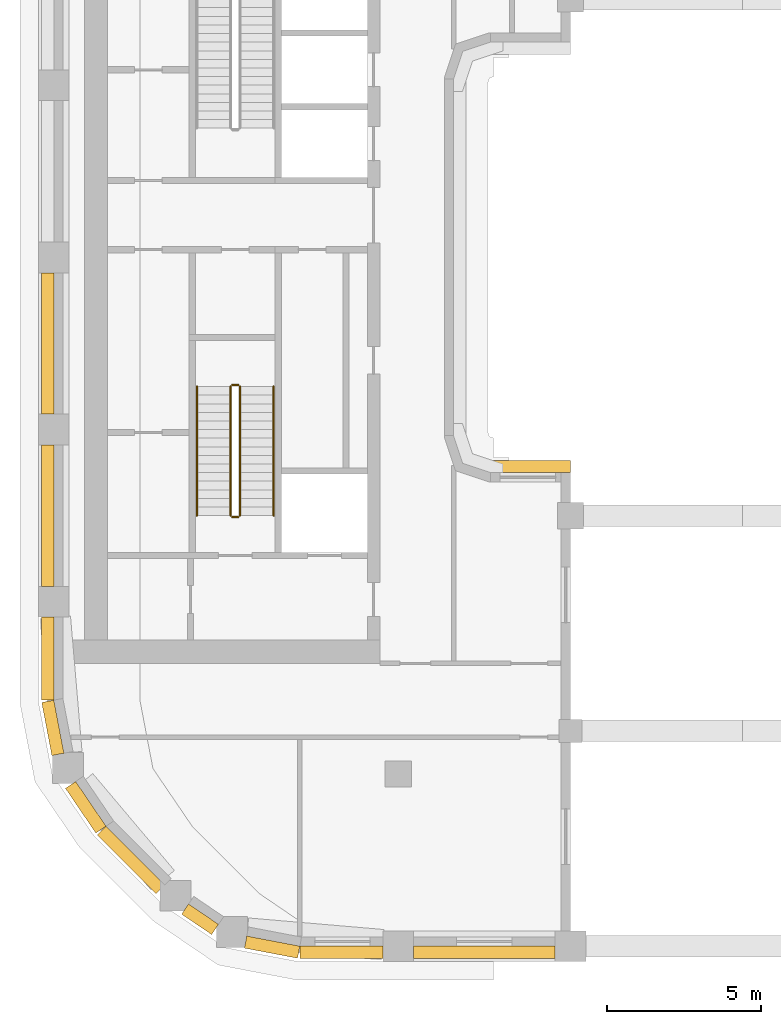
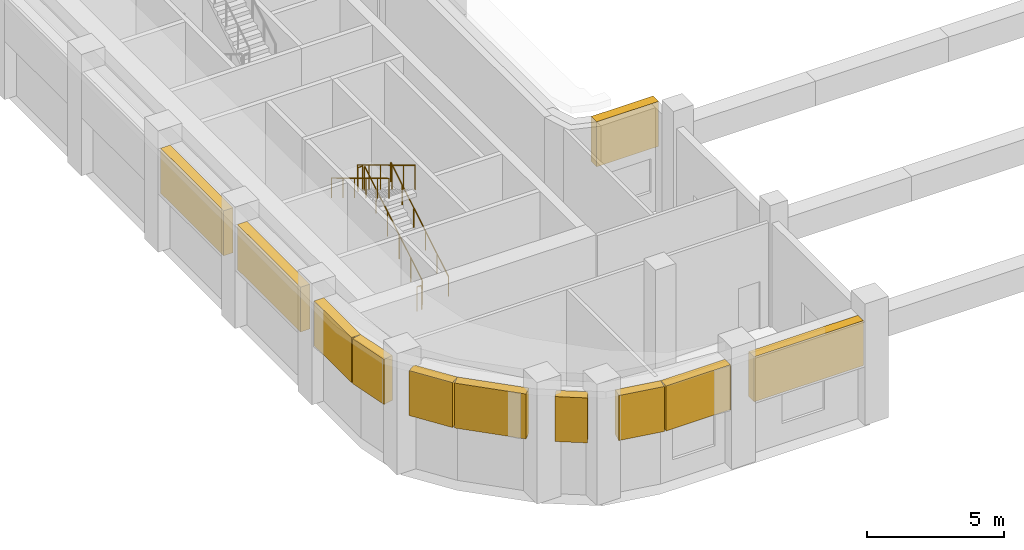
# One storey, part 8 of 14: 11 coverings, 6 railings.
"""IFC4 building model written with IfcOpenShell, lengths in metres."""

from ifc_helpers import new_model, si_unit, direction, frame, origin, origin_2d, place, context, subcontext, project, spatial, rectangle, circle, extrude, material, type_object, element, save


model = new_model("IFC4")

# Units and contexts
model_context = context("Model", 3, precision=1e-05, world=origin(), true_north=direction((0.0, 1.0)))
body_context = subcontext(model_context, "Body", "Model", "MODEL_VIEW")
ifc_project = project(units=[si_unit("LENGTHUNIT", "METRE"), si_unit("AREAUNIT", "SQUARE_METRE"), si_unit("VOLUMEUNIT", "CUBIC_METRE"), si_unit("PLANEANGLEUNIT", "RADIAN"), si_unit("MASSUNIT", "GRAM", prefix="KILO")], contexts=[model_context])

# Site, building, storey
site_placement = place(None, origin())
site = spatial("IfcSite", under=ifc_project, at=site_placement, CompositionType="ELEMENT")
building_placement = place(site_placement, origin())
building = spatial("IfcBuilding", under=site, at=building_placement, Name="Kiln Ring Residences", CompositionType="ELEMENT")
storey_placement = place(building_placement, frame((0.0, 0.0, 183.5)))
storey = spatial("IfcBuildingStorey", under=building, at=storey_placement, Name="L47", CompositionType="ELEMENT", Elevation=183.5)

# Railings
ifc_material_1 = material(Name="Stainless steel", Category="steel")
railing_type_1 = type_object("IfcRailingType", Name="CORE-STAIR-GUARD", PredefinedType="GUARDRAIL", material=ifc_material_1)
railing_1_placement = place(storey_placement, frame((-21.949951171875, -8.39990234375, 0.168701171875)))
element("IfcRailing", 1, at=railing_1_placement, inside=storey, type_object=railing_type_1, Name="L47 W-STS stair guard 1", PredefinedType="GUARDRAIL", context=body_context, shape_type="SweptSolid", body=[
    extrude(circle(Radius=0.02392578125, at=origin_2d()), frame((0.0, 0.0, 1.076171875), z_axis=(0.0, 0.856476492594, 0.516186030065), x_axis=(-1.0, 0.0, 0.0)), (0.0, 0.0, 1.0), 4.90380859375),
    extrude(circle(Radius=0.02099609375, at=origin_2d()), origin(), (0.0, 0.0, 1.0), 1.052001953125),
    extrude(circle(Radius=0.02099609375, at=origin_2d()), frame((0.0, 0.840087890625, 0.50634765625)), (0.0, 0.0, 1.0), 1.052001953125),
    extrude(circle(Radius=0.02099609375, at=origin_2d()), frame((0.0, 1.679931640625, 1.012451171875)), (0.0, 0.0, 1.0), 1.052001953125),
    extrude(circle(Radius=0.02099609375, at=origin_2d()), frame((0.0, 2.52001953125, 1.518798828125)), (0.0, 0.0, 1.0), 1.052001953125),
    extrude(circle(Radius=0.02099609375, at=origin_2d()), frame((0.0, 3.35986328125, 2.02490234375)), (0.0, 0.0, 1.0), 1.052001953125),
    extrude(circle(Radius=0.02099609375, at=origin_2d()), frame((0.0, 4.199951171875, 2.53125)), (0.0, 0.0, 1.0), 1.052001953125),
])
railing_2_placement = place(storey_placement, frame((-22.0, -4.14990234375, 2.699951171875)))
element("IfcRailing", 2, at=railing_2_placement, inside=storey, type_object=railing_type_1, Name="L47 W-STS stair guard 2", PredefinedType="GUARDRAIL", context=body_context, shape_type="SweptSolid", body=[
    extrude(circle(Radius=0.02392578125, at=origin_2d()), frame((0.0, 0.0, 1.076171875), z_axis=(-1.0, 0.0, 0.0), x_axis=(0.0, -1.0, 0.0)), (0.0, 0.0, 1.0), 0.199951171875),
    extrude(circle(Radius=0.02099609375, at=origin_2d()), origin(), (0.0, 0.0, 1.0), 1.052001953125),
    extrude(circle(Radius=0.02099609375, at=origin_2d()), frame((-0.199951171875, 0.0, 0.0)), (0.0, 0.0, 1.0), 1.052001953125),
])
railing_3_placement = place(storey_placement, frame((-22.25, -4.199951171875, 2.86865234375)))
element("IfcRailing", 3, at=railing_3_placement, inside=storey, type_object=railing_type_1, Name="L47 W-STS stair guard 3", PredefinedType="GUARDRAIL", context=body_context, shape_type="SweptSolid", body=[
    extrude(circle(Radius=0.02392578125, at=origin_2d()), frame((0.0, 0.0, 1.076171875), z_axis=(0.0, -0.856476492594, 0.516186030065), x_axis=(1.0, 0.0, 0.0)), (0.0, 0.0, 1.0), 4.90380859375),
    extrude(circle(Radius=0.02099609375, at=origin_2d()), origin(), (0.0, 0.0, 1.0), 1.052001953125),
    extrude(circle(Radius=0.02099609375, at=origin_2d()), frame((0.0, -0.840087890625, 0.50634765625)), (0.0, 0.0, 1.0), 1.052001953125),
    extrude(circle(Radius=0.02099609375, at=origin_2d()), frame((0.0, -1.679931640625, 1.012451171875)), (0.0, 0.0, 1.0), 1.052001953125),
    extrude(circle(Radius=0.02099609375, at=origin_2d()), frame((0.0, -2.52001953125, 1.518798828125)), (0.0, 0.0, 1.0), 1.052001953125),
    extrude(circle(Radius=0.02099609375, at=origin_2d()), frame((0.0, -3.35986328125, 2.02490234375)), (0.0, 0.0, 1.0), 1.052001953125),
    extrude(circle(Radius=0.02099609375, at=origin_2d()), frame((0.0, -4.199951171875, 2.53125)), (0.0, 0.0, 1.0), 1.052001953125),
])
railing_4_placement = place(storey_placement, frame((-22.0, -8.449951171875, 0.0)))
element("IfcRailing", 4, at=railing_4_placement, inside=storey, type_object=railing_type_1, Name="L47 W-STS stair guard 4", PredefinedType="GUARDRAIL", context=body_context, shape_type="SweptSolid", body=[
    extrude(circle(Radius=0.02392578125, at=origin_2d()), frame((0.0, 0.0, 1.076171875), z_axis=(-1.0, 0.0, 0.0), x_axis=(0.0, -1.0, 0.0)), (0.0, 0.0, 1.0), 0.199951171875),
    extrude(circle(Radius=0.02099609375, at=origin_2d()), origin(), (0.0, 0.0, 1.0), 1.052001953125),
    extrude(circle(Radius=0.02099609375, at=origin_2d()), frame((-0.199951171875, 0.0, 0.0)), (0.0, 0.0, 1.0), 1.052001953125),
])
ifc_material_2 = material(Name="Stainless steel", Category="steel")
railing_type_2 = type_object("IfcRailingType", Name="CORE-STAIR-HANDRAIL", PredefinedType="HANDRAIL", material=ifc_material_2)
railing_5_placement = place(storey_placement, frame((-20.85009765625, -8.39990234375, 0.168701171875)))
element("IfcRailing", 5, at=railing_5_placement, inside=storey, type_object=railing_type_2, Name="L47 W-STS stair handrail 1", PredefinedType="HANDRAIL", context=body_context, shape_type="SweptSolid", body=[
    extrude(circle(Radius=0.02392578125, at=origin_2d()), frame((0.0, 0.0, 0.8759765625), z_axis=(0.0, 0.856476492594, 0.516186030065), x_axis=(-1.0, 0.0, 0.0)), (0.0, 0.0, 1.0), 4.90380859375),
    extrude(circle(Radius=0.02099609375, at=origin_2d()), origin(), (0.0, 0.0, 1.0), 0.851806640625),
    extrude(circle(Radius=0.02099609375, at=origin_2d()), frame((0.0, 0.840087890625, 0.50634765625)), (0.0, 0.0, 1.0), 0.851806640625),
    extrude(circle(Radius=0.02099609375, at=origin_2d()), frame((0.0, 1.679931640625, 1.012451171875)), (0.0, 0.0, 1.0), 0.851806640625),
    extrude(circle(Radius=0.02099609375, at=origin_2d()), frame((0.0, 2.52001953125, 1.518798828125)), (0.0, 0.0, 1.0), 0.851806640625),
    extrude(circle(Radius=0.02099609375, at=origin_2d()), frame((0.0, 3.35986328125, 2.02490234375)), (0.0, 0.0, 1.0), 0.851806640625),
    extrude(circle(Radius=0.02099609375, at=origin_2d()), frame((0.0, 4.199951171875, 2.53125)), (0.0, 0.0, 1.0), 0.851806640625),
])
railing_6_placement = place(storey_placement, frame((-23.35009765625, -4.199951171875, 2.86865234375)))
element("IfcRailing", 6, at=railing_6_placement, inside=storey, type_object=railing_type_2, Name="L47 W-STS stair handrail 2", PredefinedType="HANDRAIL", context=body_context, shape_type="SweptSolid", body=[
    extrude(circle(Radius=0.02392578125, at=origin_2d()), frame((0.0, 0.0, 0.8759765625), z_axis=(0.0, -0.856476492594, 0.516186030065), x_axis=(1.0, 0.0, 0.0)), (0.0, 0.0, 1.0), 4.90380859375),
    extrude(circle(Radius=0.02099609375, at=origin_2d()), origin(), (0.0, 0.0, 1.0), 0.851806640625),
    extrude(circle(Radius=0.02099609375, at=origin_2d()), frame((0.0, -0.840087890625, 0.50634765625)), (0.0, 0.0, 1.0), 0.851806640625),
    extrude(circle(Radius=0.02099609375, at=origin_2d()), frame((0.0, -1.679931640625, 1.012451171875)), (0.0, 0.0, 1.0), 0.851806640625),
    extrude(circle(Radius=0.02099609375, at=origin_2d()), frame((0.0, -2.52001953125, 1.518798828125)), (0.0, 0.0, 1.0), 0.851806640625),
    extrude(circle(Radius=0.02099609375, at=origin_2d()), frame((0.0, -3.35986328125, 2.02490234375)), (0.0, 0.0, 1.0), 0.851806640625),
    extrude(circle(Radius=0.02099609375, at=origin_2d()), frame((0.0, -4.199951171875, 2.53125)), (0.0, 0.0, 1.0), 0.851806640625),
])

# Coverings
ifc_material_3 = material(Name="Concrete C35/45, exposed aggregate finish", Category="concrete")
covering_type = type_object("IfcCoveringType", Name="TIE BAND 2000 x 400", PredefinedType="CLADDING", material=ifc_material_3)
for number, where, z_axis, x_axis, name in (
    (7, (-28.031982421875, -15.300048828125, 2.60009765625), (0.0, 0.0, 1.0), (0.187365550382, -0.98229025778, 0.0), "TIE BAND L47"),
    (8, (-26.9619140625, -17.88330078125, 2.60009765625), (0.0, 0.0, 1.0), (0.562096651134, -0.827071553606, 0.0), "TIE BAND L47"),
):
    element("IfcCovering", number, at=place(storey_placement, frame(where, z_axis=z_axis, x_axis=x_axis)), inside=storey, type_object=covering_type, Name=name, PredefinedType="CLADDING", context=body_context, shape_type="SweptSolid", body=[
        extrude(rectangle(XDim=1.756103515625, YDim=0.39990234375, at=origin_2d()), origin(), (0.0, 0.0, 1.0), 2.0),
    ])
covering_1_placement = place(storey_placement, frame((-25.48974609375, -19.593017578125, 2.60009765625), z_axis=(0.0, 0.0, 1.0), x_axis=(0.707106781187, -0.707106781187, 0.0)))
element("IfcCovering", 9, at=covering_1_placement, inside=storey, type_object=covering_type, Name="TIE BAND L47", PredefinedType="CLADDING", context=body_context, shape_type="SweptSolid", body=[
    extrude(rectangle(XDim=2.699951171875, YDim=0.39990234375, at=origin_2d()), origin(), (0.0, 0.0, 1.0), 2.0),
])
covering_2_placement = place(storey_placement, frame((-23.243896484375, -21.524658203125, 2.60009765625), z_axis=(0.0, 0.0, 1.0), x_axis=(0.827071553606, -0.562096651134, 0.0)))
element("IfcCovering", 10, at=covering_2_placement, inside=storey, type_object=covering_type, Name="TIE BAND L47", PredefinedType="CLADDING", context=body_context, shape_type="SweptSolid", body=[
    extrude(rectangle(XDim=1.177001953125, YDim=0.39990234375, at=origin_2d()), origin(), (0.0, 0.0, 1.0), 2.0),
])
covering_3_placement = place(storey_placement, frame((-20.89990234375, -22.431884765625, 2.60009765625), z_axis=(0.0, 0.0, 1.0), x_axis=(0.98229025778, -0.187365550382, 0.0)))
element("IfcCovering", 11, at=covering_3_placement, inside=storey, type_object=covering_type, Name="TIE BAND L47", PredefinedType="CLADDING", context=body_context, shape_type="SweptSolid", body=[
    extrude(rectangle(XDim=1.756103515625, YDim=0.39990234375, at=origin_2d()), origin(), (0.0, 0.0, 1.0), 2.0),
])
covering_4_placement = place(storey_placement, frame((-18.64990234375, -22.60009765625, 2.60009765625), z_axis=(0.0, 0.0, 1.0), x_axis=(1.0, 0.0, 0.0)))
element("IfcCovering", 12, at=covering_4_placement, inside=storey, type_object=covering_type, Name="TIE BAND L47", PredefinedType="CLADDING", context=body_context, shape_type="SweptSolid", body=[
    extrude(rectangle(XDim=2.699951171875, YDim=0.39990234375, at=origin_2d()), origin(), (0.0, 0.0, 1.0), 2.0),
])
covering_5_placement = place(storey_placement, frame((-14.0, -22.60009765625, 2.60009765625), z_axis=(0.0, 0.0, 1.0), x_axis=(1.0, 0.0, 0.0)))
element("IfcCovering", 13, at=covering_5_placement, inside=storey, type_object=covering_type, Name="TIE BAND L47", PredefinedType="CLADDING", context=body_context, shape_type="SweptSolid", body=[
    extrude(rectangle(XDim=4.60009765625, YDim=0.39990234375, at=origin_2d()), origin(), (0.0, 0.0, 1.0), 2.0),
])
covering_6_placement = place(storey_placement, frame((-12.5, -6.800048828125, 2.60009765625), z_axis=(0.0, 0.0, 1.0), x_axis=(-1.0, 0.0, 0.0)))
element("IfcCovering", 14, at=covering_6_placement, inside=storey, type_object=covering_type, Name="TIE BAND L47", PredefinedType="CLADDING", context=body_context, shape_type="SweptSolid", body=[
    extrude(rectangle(XDim=2.60009765625, YDim=0.39990234375, at=origin_2d()), origin(), (0.0, 0.0, 1.0), 2.0),
])
for number, where, z_axis, x_axis, name in (
    (15, (-28.199951171875, -2.800048828125, 2.60009765625), (0.0, 0.0, 1.0), (0.0, -1.0, 0.0), "TIE BAND L47"),
    (16, (-28.199951171875, -8.39990234375, 2.60009765625), (0.0, 0.0, 1.0), (0.0, -1.0, 0.0), "TIE BAND L47"),
):
    element("IfcCovering", number, at=place(storey_placement, frame(where, z_axis=z_axis, x_axis=x_axis)), inside=storey, type_object=covering_type, Name=name, PredefinedType="CLADDING", context=body_context, shape_type="SweptSolid", body=[
        extrude(rectangle(XDim=4.60009765625, YDim=0.39990234375, at=origin_2d()), origin(), (0.0, 0.0, 1.0), 2.0),
    ])
covering_7_placement = place(storey_placement, frame((-28.199951171875, -13.050048828125, 2.60009765625), z_axis=(0.0, 0.0, 1.0), x_axis=(0.0, -1.0, 0.0)))
element("IfcCovering", 17, at=covering_7_placement, inside=storey, type_object=covering_type, Name="TIE BAND L47", PredefinedType="CLADDING", context=body_context, shape_type="SweptSolid", body=[
    extrude(rectangle(XDim=2.699951171875, YDim=0.39990234375, at=origin_2d()), origin(), (0.0, 0.0, 1.0), 2.0),
])

save(model, "model.ifc")
